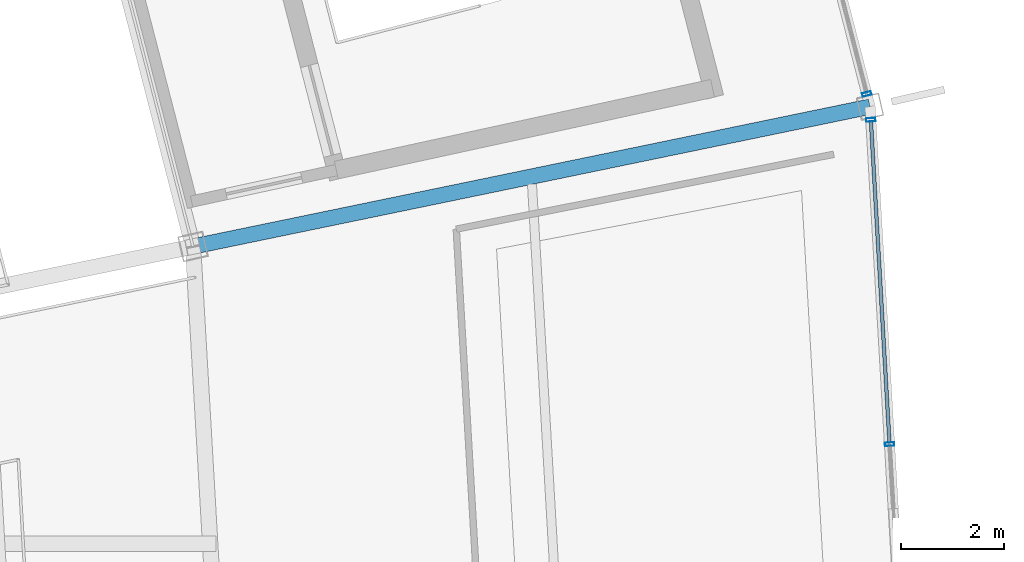
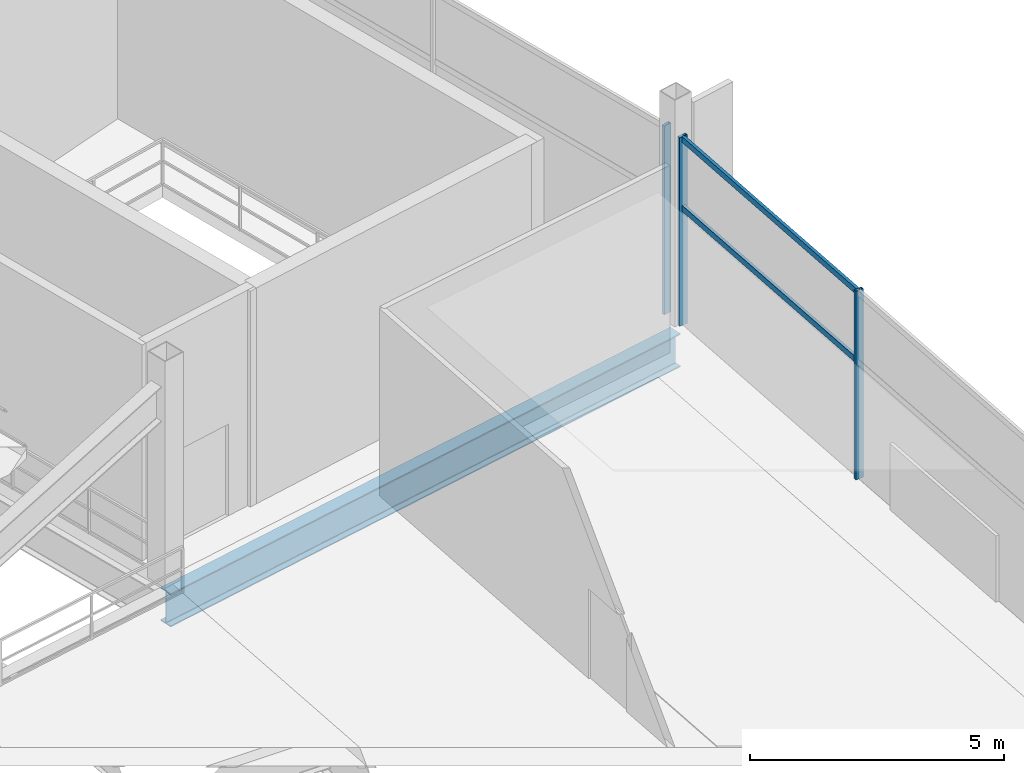
# One storey, part 77 of 186: 5 members, 1 beam, 2 elements without a shape of their own.
"""IFC4 building model written with IfcOpenShell, lengths in metres."""

from ifc_helpers import new_model, si_unit, direction, frame, origin, origin_2d, place, context, subcontext, project, spatial, hollow_rectangle, i_section, extrude, material, layer, layer_set, material_profile, profile_set, type_object, element, aggregate, save


model = new_model("IFC4")

# Units and contexts
model_context = context("Model", 3, precision=1e-05, world=origin(), true_north=direction((0.0, 1.0)))
body_context = subcontext(model_context, "Body", "Model", "MODEL_VIEW")
ifc_project = project(units=[si_unit("LENGTHUNIT", "METRE"), si_unit("AREAUNIT", "SQUARE_METRE"), si_unit("VOLUMEUNIT", "CUBIC_METRE"), si_unit("PLANEANGLEUNIT", "RADIAN"), si_unit("MASSUNIT", "GRAM", prefix="KILO")], contexts=[model_context])

# Site, building, storey
site_placement = place(None, origin())
site = spatial("IfcSite", under=ifc_project, at=site_placement, CompositionType="ELEMENT")
building_placement = place(site_placement, origin())
building = spatial("IfcBuilding", under=site, at=building_placement, Name="Kazemori Nagisa Stadium", CompositionType="ELEMENT")
storey_placement = place(building_placement, frame((0.0, 0.0, 20.39990234375)))
storey = spatial("IfcBuildingStorey", under=building, at=storey_placement, Name="L04", CompositionType="ELEMENT", Elevation=20.39990234375)

# Beam
ifc_material_1 = material(Name="Steel SN490B", Category="steel")
ifc_material_profile_1 = material_profile(ifc_material_1, i_section(OverallWidth=0.300048828125, OverallDepth=0.800048828125, WebThickness=0.013916015625, FlangeThickness=0.02587890625, FilletRadius=0.01806640625, at=origin_2d()), Name="H-800x300x14x26")
ifc_profile_set_1 = profile_set([ifc_material_profile_1], Name="Steel SN490B")
beam_type = type_object("IfcBeamType", Name="Beam_BG-H800", PredefinedType="BEAM", material=ifc_profile_set_1)
beam_placement = place(storey_placement, frame((203.737548828125, 118.68212890625, -0.699951171875), z_axis=(0.979315516463, 0.202339119339, 0.0), x_axis=(-0.202339119339, 0.979315516463, 0.0)))
element("IfcBeam", 1, at=beam_placement, inside=storey, type_object=beam_type, Name="Radial girder BG-H800 L04 R2-R3-02", PredefinedType="BEAM", context=body_context, shape_type="SweptSolid", body=[
    extrude(i_section(OverallWidth=0.300048828125, OverallDepth=0.800048828125, WebThickness=0.013916015625, FlangeThickness=0.02587890625, FilletRadius=0.01806640625, at=origin_2d()), origin(), (0.0, 0.0, 1.0), 13.4208984375),
])

# Curtain wall, members
ifc_material_2 = material(Name="Anodised aluminium 6063-T5", Category="aluminium")
ifc_layer_1 = layer(ifc_material_2, 0.179931640625, Name="Anodised aluminium 6063-T5", Category="aluminium")
ifc_layer_set_1 = layer_set([ifc_layer_1], Name="Anodised aluminium 6063-T5")
curtain_wall_type_1 = type_object("IfcCurtainWallType", Name="CW_L04R3_95", PredefinedType="USERDEFINED", material=ifc_layer_set_1)
curtain_wall_1_placement = place(storey_placement, origin())
curtain_wall_1 = element("IfcCurtainWall", 2, at=curtain_wall_1_placement, inside=storey, type_object=curtain_wall_type_1, Name="Unitised curtain wall CW-L04R3-95 L04", ObjectType="UNITISED CURTAIN WALL", PredefinedType="USERDEFINED")
ifc_material_3 = material(Name="Aluminium 6063-T5 anodised", Category="aluminium")
ifc_material_profile_2 = material_profile(ifc_material_3, hollow_rectangle(XDim=0.070068359375, YDim=0.179931640625, WallThickness=0.00390625, at=origin_2d()), Name="ALU-MULL-70x180x4")
ifc_profile_set_2 = profile_set([ifc_material_profile_2], Name="Aluminium 6063-T5 anodised")
member_type_1 = type_object("IfcMemberType", Name="Mullion_M01", PredefinedType="MULLION", material=ifc_profile_set_2)
member_1_placement = place(storey_placement, frame((217.2587890625, 114.846923828125, 0.0), z_axis=(0.0, 0.0, 1.0), x_axis=(-0.057601670941, 0.998339645364, 0.0)))
member_1 = element("IfcMember", 3, at=member_1_placement, type_object=member_type_1, Name="Curtain wall mullion CW-L04R3-95-M3", PredefinedType="MULLION", context=body_context, shape_type="SweptSolid", body=[
    extrude(hollow_rectangle(XDim=0.070068359375, YDim=0.179931640625, WallThickness=0.00390625, at=origin_2d()), origin(), (0.0, 0.0, 1.0), 4.530029296875),
])
member_2_placement = place(storey_placement, frame((216.8955078125, 121.14306640625, 0.0), z_axis=(0.0, 0.0, 1.0), x_axis=(-0.057601670941, 0.998339645364, 0.0)))
member_2 = element("IfcMember", 4, at=member_2_placement, type_object=member_type_1, Name="Curtain wall mullion CW-L04R3-95-M4", PredefinedType="MULLION", context=body_context, shape_type="SweptSolid", body=[
    extrude(hollow_rectangle(XDim=0.070068359375, YDim=0.179931640625, WallThickness=0.00390625, at=origin_2d()), origin(), (0.0, 0.0, 1.0), 4.530029296875),
])

# Curtain wall, member
ifc_layer_2 = layer(ifc_material_2, 0.179931640625, Name="Anodised aluminium 6063-T5", Category="aluminium")
ifc_layer_set_2 = layer_set([ifc_layer_2], Name="Anodised aluminium 6063-T5")
curtain_wall_type_2 = type_object("IfcCurtainWallType", Name="CW_L04R3_98", PredefinedType="USERDEFINED", material=ifc_layer_set_2)
curtain_wall_2_placement = place(storey_placement, origin())
curtain_wall_2 = element("IfcCurtainWall", 5, at=curtain_wall_2_placement, inside=storey, type_object=curtain_wall_type_2, Name="Unitised curtain wall CW-L04R3-98 L04", ObjectType="UNITISED CURTAIN WALL", PredefinedType="USERDEFINED")
member_3_placement = place(storey_placement, frame((216.817138671875, 121.64453125, 0.0), z_axis=(0.0, 0.0, 1.0), x_axis=(-0.249964642418, 0.968254965152, 0.0)))
member_3 = element("IfcMember", 6, at=member_3_placement, type_object=member_type_1, Name="Curtain wall mullion CW-L04R3-98-M1", PredefinedType="MULLION", context=body_context, shape_type="SweptSolid", body=[
    extrude(hollow_rectangle(XDim=0.070068359375, YDim=0.179931640625, WallThickness=0.00390625, at=origin_2d()), origin(), (0.0, 0.0, 1.0), 4.530029296875),
])
aggregate(curtain_wall_2, [member_3])

# Member
ifc_material_profile_3 = material_profile(ifc_material_3, hollow_rectangle(XDim=0.070068359375, YDim=0.139892578125, WallThickness=0.00390625, at=origin_2d()), Name="ALU-TRAN-70x140x4")
ifc_profile_set_3 = profile_set([ifc_material_profile_3], Name="Aluminium 6063-T5 anodised")
member_type_2 = type_object("IfcMemberType", Name="Transom_T01", PredefinedType="USERDEFINED", material=ifc_profile_set_3)
member_4_placement = place(storey_placement, frame((217.257568359375, 114.866943359375, 2.80859375), z_axis=(-0.057582347061, 0.998340760115, 0.0), x_axis=(-0.998340760115, -0.057582347061, 0.0)))
member_4 = element("IfcMember", 7, at=member_4_placement, type_object=member_type_2, Name="Curtain wall transom CW-L04R3-95-T3-mid", ObjectType="TRANSOM", PredefinedType="USERDEFINED", context=body_context, shape_type="SweptSolid", body=[
    extrude(hollow_rectangle(XDim=0.070068359375, YDim=0.139892578125, WallThickness=0.00390625, at=origin_2d()), origin(), (0.0, 0.0, 1.0), 6.2666015625),
])

member_5_placement = place(storey_placement, frame((217.257568359375, 114.866943359375, 4.460205078125), z_axis=(-0.057582347061, 0.998340760115, 0.0), x_axis=(-0.998340760115, -0.057582347061, 0.0)))
member_5 = element("IfcMember", 8, at=member_5_placement, type_object=member_type_2, Name="Curtain wall transom CW-L04R3-95-T3-head", ObjectType="TRANSOM", PredefinedType="USERDEFINED", context=body_context, shape_type="SweptSolid", body=[
    extrude(hollow_rectangle(XDim=0.070068359375, YDim=0.139892578125, WallThickness=0.00390625, at=origin_2d()), origin(), (0.0, 0.0, 1.0), 6.2666015625),
])

aggregate(curtain_wall_1, [member_1, member_2, member_4, member_5])

save(model, "model.ifc")
